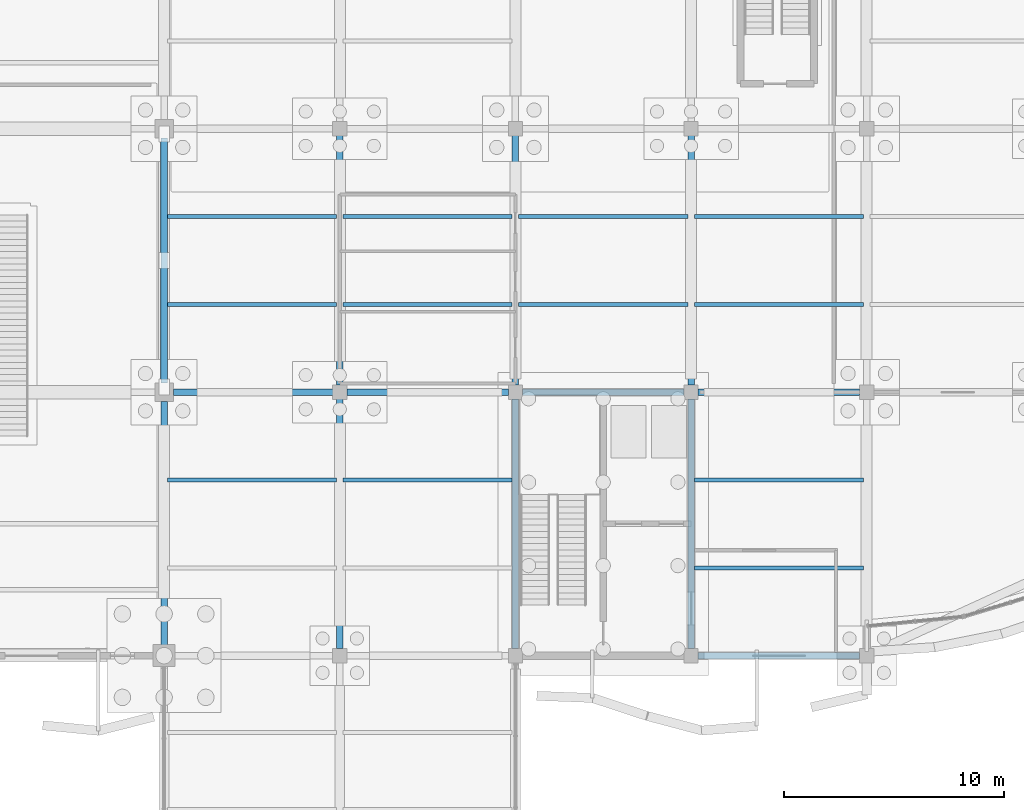
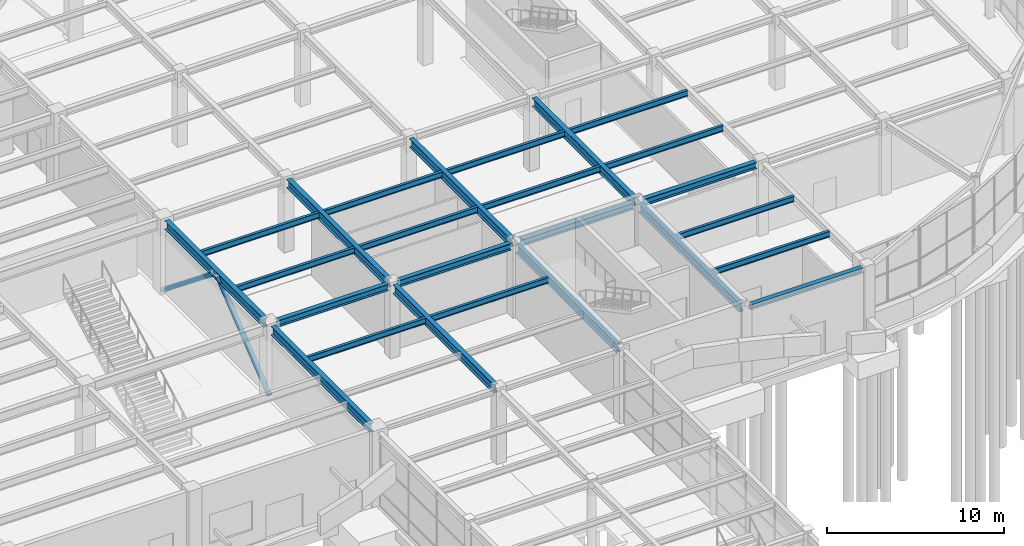
# One storey, part 43 of 85: 25 beams, 2 members.
"""IFC4 building model written with IfcOpenShell, lengths in metres."""

from ifc_helpers import new_model, si_unit, direction, frame, origin, origin_2d, place, context, subcontext, project, spatial, hollow_circle, i_section, extrude, material, material_profile, profile_set, type_object, element, save


model = new_model("IFC4")

# Units and contexts
model_context = context("Model", 3, precision=1e-05, world=origin(), true_north=direction((0.0, 1.0)))
body_context = subcontext(model_context, "Body", "Model", "MODEL_VIEW")
ifc_project = project(units=[si_unit("LENGTHUNIT", "METRE"), si_unit("AREAUNIT", "SQUARE_METRE"), si_unit("VOLUMEUNIT", "CUBIC_METRE"), si_unit("PLANEANGLEUNIT", "RADIAN"), si_unit("MASSUNIT", "GRAM", prefix="KILO")], contexts=[model_context])

# Site, building, storey
site_placement = place(None, origin())
site = spatial("IfcSite", under=ifc_project, at=site_placement, CompositionType="ELEMENT")
building_placement = place(site_placement, origin())
building = spatial("IfcBuilding", under=site, at=building_placement, Name="Keelwater Ferry Terminal", CompositionType="ELEMENT")
storey_placement = place(building_placement, origin())
storey = spatial("IfcBuildingStorey", under=building, at=storey_placement, Name="L00", CompositionType="ELEMENT", Elevation=0.0)

# Members
ifc_material_1 = material(Name="Steel S355", Category="steel")
ifc_material_profile_1 = material_profile(ifc_material_1, hollow_circle(Radius=0.161865234375, WallThickness=0.012451171875, at=origin_2d()), Name="CHS 323.9x12.5")
ifc_profile_set_1 = profile_set([ifc_material_profile_1], Name="Steel S355")
member_type = type_object("IfcMemberType", Name="BR1 CHS 323.9x12.5", PredefinedType="BRACE", material=ifc_profile_set_1)
for number, where, z_axis, x_axis, name in (
    (1, (132.0, 54.0, 0.0), (0.0, 0.780230351718, 0.625492284731), (-1.0, 0.0, 0.0), "Structural Member MB-L00-0555"),
    (2, (132.0, 66.0, 0.0), (0.0, -0.780230351718, 0.625492284731), (1.0, 0.0, 0.0), "Structural Member MB-L00-0556"),
):
    element("IfcMember", number, at=place(storey_placement, frame(where, z_axis=z_axis, x_axis=x_axis)), inside=storey, type_object=member_type, Name=name, PredefinedType="BRACE", context=body_context, shape_type="SweptSolid", body=[
        extrude(hollow_circle(Radius=0.161865234375, WallThickness=0.012451171875, at=origin_2d()), origin(), (0.0, 0.0, 1.0), 7.68994140625),
    ])

# Beams
ifc_material_2 = material(Name="Steel S355", Category="steel")
ifc_material_profile_2 = material_profile(ifc_material_2, i_section(OverallWidth=0.300048828125, OverallDepth=0.60009765625, WebThickness=0.015380859375, FlangeThickness=0.030029296875, at=origin_2d()), Name="HEB 600")
ifc_profile_set_2 = profile_set([ifc_material_profile_2], Name="Steel S355")
beam_type_1 = type_object("IfcBeamType", Name="G3 HEB 600", PredefinedType="BEAM", material=ifc_profile_set_2)
for number, where, z_axis, x_axis, name in (
    (3, (140.0, 42.318115234375, 4.760009765625), (0.0, 1.0, 0.0), (-1.0, 0.0, 0.0), "Beam BM-L00-0260"),
    (4, (140.0, 54.318115234375, 4.760009765625), (0.0, 1.0, 0.0), (-1.0, 0.0, 0.0), "Beam BM-L00-0261"),
    (5, (156.0, 42.318115234375, 4.760009765625), (0.0, 1.0, 0.0), (-1.0, 0.0, 0.0), "Beam BM-L00-0278"),
    (6, (156.0, 54.318115234375, 4.760009765625), (0.0, 1.0, 0.0), (-1.0, 0.0, 0.0), "Beam BM-L00-0279"),
):
    element("IfcBeam", number, at=place(storey_placement, frame(where, z_axis=z_axis, x_axis=x_axis)), inside=storey, type_object=beam_type_1, Name=name, PredefinedType="BEAM", context=body_context, shape_type="SweptSolid", body=[
        extrude(i_section(OverallWidth=0.300048828125, OverallDepth=0.60009765625, WebThickness=0.015380859375, FlangeThickness=0.030029296875, at=origin_2d()), origin(), (0.0, 0.0, 1.0), 11.36376953125),
    ])
ifc_material_3 = material(Name="Steel S355", Category="steel")
ifc_material_profile_3 = material_profile(ifc_material_3, i_section(OverallWidth=0.300048828125, OverallDepth=0.60009765625, WebThickness=0.015380859375, FlangeThickness=0.030029296875, at=origin_2d()), Name="HEB 600")
ifc_profile_set_3 = profile_set([ifc_material_profile_3], Name="Steel S355")
beam_type_2 = type_object("IfcBeamType", Name="G3E HEB 600", PredefinedType="BEAM", material=ifc_profile_set_3)
beam_1_placement = place(storey_placement, frame((132.0, 42.489990234375, 4.760009765625), z_axis=(0.0, 1.0, 0.0), x_axis=(-1.0, 0.0, 0.0)))
element("IfcBeam", 7, at=beam_1_placement, inside=storey, type_object=beam_type_2, Name="Beam BM-L00-0248", PredefinedType="BEAM", context=body_context, shape_type="SweptSolid", body=[
    extrude(i_section(OverallWidth=0.300048828125, OverallDepth=0.60009765625, WebThickness=0.015380859375, FlangeThickness=0.030029296875, at=origin_2d()), origin(), (0.0, 0.0, 1.0), 11.093994140625),
])
beam_2_placement = place(storey_placement, frame((132.0, 54.416015625, 4.760009765625), z_axis=(0.0, 1.0, 0.0), x_axis=(-1.0, 0.0, 0.0)))
element("IfcBeam", 8, at=beam_2_placement, inside=storey, type_object=beam_type_2, Name="Beam BM-L00-0249", PredefinedType="BEAM", context=body_context, shape_type="SweptSolid", body=[
    extrude(i_section(OverallWidth=0.300048828125, OverallDepth=0.60009765625, WebThickness=0.015380859375, FlangeThickness=0.030029296875, at=origin_2d()), origin(), (0.0, 0.0, 1.0), 11.16796875),
])
for number, where, z_axis, x_axis, name in (
    (9, (148.0, 42.318115234375, 4.760009765625), (0.0, 1.0, 0.0), (-1.0, 0.0, 0.0), "Beam BM-L00-0271"),
    (10, (148.0, 54.318115234375, 4.760009765625), (0.0, 1.0, 0.0), (-1.0, 0.0, 0.0), "Beam BM-L00-0272"),
):
    element("IfcBeam", number, at=place(storey_placement, frame(where, z_axis=z_axis, x_axis=x_axis)), inside=storey, type_object=beam_type_2, Name=name, PredefinedType="BEAM", context=body_context, shape_type="SweptSolid", body=[
        extrude(i_section(OverallWidth=0.300048828125, OverallDepth=0.60009765625, WebThickness=0.015380859375, FlangeThickness=0.030029296875, at=origin_2d()), origin(), (0.0, 0.0, 1.0), 11.36376953125),
    ])
ifc_material_4 = material(Name="Steel S355", Category="steel")
ifc_material_profile_4 = material_profile(ifc_material_4, i_section(OverallWidth=0.300048828125, OverallDepth=0.449951171875, WebThickness=0.013916015625, FlangeThickness=0.02587890625, at=origin_2d()), Name="HEB 450")
ifc_profile_set_4 = profile_set([ifc_material_profile_4], Name="Steel S355")
beam_type_3 = type_object("IfcBeamType", Name="G6 HEB 450", PredefinedType="BEAM", material=ifc_profile_set_4)
beam_3_placement = place(storey_placement, frame((132.416015625, 54.0, 4.8349609375), z_axis=(1.0, 0.0, 0.0), x_axis=(0.0, 1.0, 0.0)))
element("IfcBeam", 11, at=beam_3_placement, inside=storey, type_object=beam_type_3, Name="Beam BM-L00-0043", PredefinedType="BEAM", context=body_context, shape_type="SweptSolid", body=[
    extrude(i_section(OverallWidth=0.300048828125, OverallDepth=0.449951171875, WebThickness=0.013916015625, FlangeThickness=0.02587890625, at=origin_2d()), origin(), (0.0, 0.0, 1.0), 7.265869140625),
])
for number, where, z_axis, x_axis, name in (
    (12, (140.318115234375, 54.0, 4.8349609375), (1.0, 0.0, 0.0), (0.0, 1.0, 0.0), "Beam BM-L00-0044"),
    (13, (148.318115234375, 54.0, 4.8349609375), (1.0, 0.0, 0.0), (0.0, 1.0, 0.0), "Beam BM-L00-0045"),
    (14, (156.318115234375, 54.0, 4.8349609375), (1.0, 0.0, 0.0), (0.0, 1.0, 0.0), "Beam BM-L00-0046"),
):
    element("IfcBeam", number, at=place(storey_placement, frame(where, z_axis=z_axis, x_axis=x_axis)), inside=storey, type_object=beam_type_3, Name=name, PredefinedType="BEAM", context=body_context, shape_type="SweptSolid", body=[
        extrude(i_section(OverallWidth=0.300048828125, OverallDepth=0.449951171875, WebThickness=0.013916015625, FlangeThickness=0.02587890625, at=origin_2d()), origin(), (0.0, 0.0, 1.0), 7.36376953125),
    ])
ifc_material_5 = material(Name="Steel S355", Category="steel")
ifc_material_profile_5 = material_profile(ifc_material_5, i_section(OverallWidth=0.179931640625, OverallDepth=0.39990234375, WebThickness=0.008544921875, FlangeThickness=0.013427734375, at=origin_2d()), Name="IPE 400")
ifc_profile_set_5 = profile_set([ifc_material_profile_5], Name="Steel S355")
beam_type_4 = type_object("IfcBeamType", Name="J5 IPE 400", PredefinedType="JOIST", material=ifc_profile_set_5)
for number, where, z_axis, x_axis, name in (
    (15, (132.14990234375, 50.0, 4.860107421875), (1.0, 0.0, 0.0), (0.0, 1.0, 0.0), "Beam BM-L00-0510"),
    (16, (132.14990234375, 58.0, 4.860107421875), (1.0, 0.0, 0.0), (0.0, 1.0, 0.0), "Beam BM-L00-0511"),
    (17, (132.14990234375, 62.0, 4.860107421875), (1.0, 0.0, 0.0), (0.0, 1.0, 0.0), "Beam BM-L00-0512"),
    (18, (140.14990234375, 50.0, 4.860107421875), (1.0, 0.0, 0.0), (0.0, 1.0, 0.0), "Beam BM-L00-0530"),
    (19, (140.14990234375, 58.0, 4.860107421875), (1.0, 0.0, 0.0), (0.0, 1.0, 0.0), "Beam BM-L00-0531"),
    (20, (140.14990234375, 62.0, 4.860107421875), (1.0, 0.0, 0.0), (0.0, 1.0, 0.0), "Beam BM-L00-0532"),
    (21, (148.14990234375, 58.0, 4.860107421875), (1.0, 0.0, 0.0), (0.0, 1.0, 0.0), "Beam BM-L00-0543"),
    (22, (148.14990234375, 62.0, 4.860107421875), (1.0, 0.0, 0.0), (0.0, 1.0, 0.0), "Beam BM-L00-0544"),
    (23, (156.14990234375, 46.0, 4.860107421875), (1.0, 0.0, 0.0), (0.0, 1.0, 0.0), "Beam BM-L00-0553"),
    (24, (156.14990234375, 50.0, 4.860107421875), (1.0, 0.0, 0.0), (0.0, 1.0, 0.0), "Beam BM-L00-0554"),
    (25, (156.14990234375, 58.0, 4.860107421875), (1.0, 0.0, 0.0), (0.0, 1.0, 0.0), "Beam BM-L00-0555"),
    (26, (156.14990234375, 62.0, 4.860107421875), (1.0, 0.0, 0.0), (0.0, 1.0, 0.0), "Beam BM-L00-0556"),
):
    element("IfcBeam", number, at=place(storey_placement, frame(where, z_axis=z_axis, x_axis=x_axis)), inside=storey, type_object=beam_type_4, Name=name, PredefinedType="JOIST", context=body_context, shape_type="SweptSolid", body=[
        extrude(i_section(OverallWidth=0.179931640625, OverallDepth=0.39990234375, WebThickness=0.008544921875, FlangeThickness=0.013427734375, at=origin_2d()), origin(), (0.0, 0.0, 1.0), 7.7001953125),
    ])
ifc_material_6 = material(Name="Steel S355", Category="steel")
ifc_material_profile_6 = material_profile(ifc_material_6, i_section(OverallWidth=0.300048828125, OverallDepth=0.35009765625, WebThickness=0.010009765625, FlangeThickness=0.017578125, at=origin_2d()), Name="HEA 360")
ifc_profile_set_6 = profile_set([ifc_material_profile_6], Name="Steel S355")
beam_type_5 = type_object("IfcBeamType", Name="SP1E HEA 360", PredefinedType="SPANDREL", material=ifc_profile_set_6)
beam_4_placement = place(storey_placement, frame((156.318115234375, 42.0, 4.885009765625), z_axis=(1.0, 0.0, 0.0), x_axis=(0.0, 1.0, 0.0)))
element("IfcBeam", 27, at=beam_4_placement, inside=storey, type_object=beam_type_5, Name="Beam BM-L00-0030", PredefinedType="SPANDREL", context=body_context, shape_type="SweptSolid", body=[
    extrude(i_section(OverallWidth=0.300048828125, OverallDepth=0.35009765625, WebThickness=0.010009765625, FlangeThickness=0.017578125, at=origin_2d()), origin(), (0.0, 0.0, 1.0), 7.36376953125),
])

save(model, "model.ifc")
